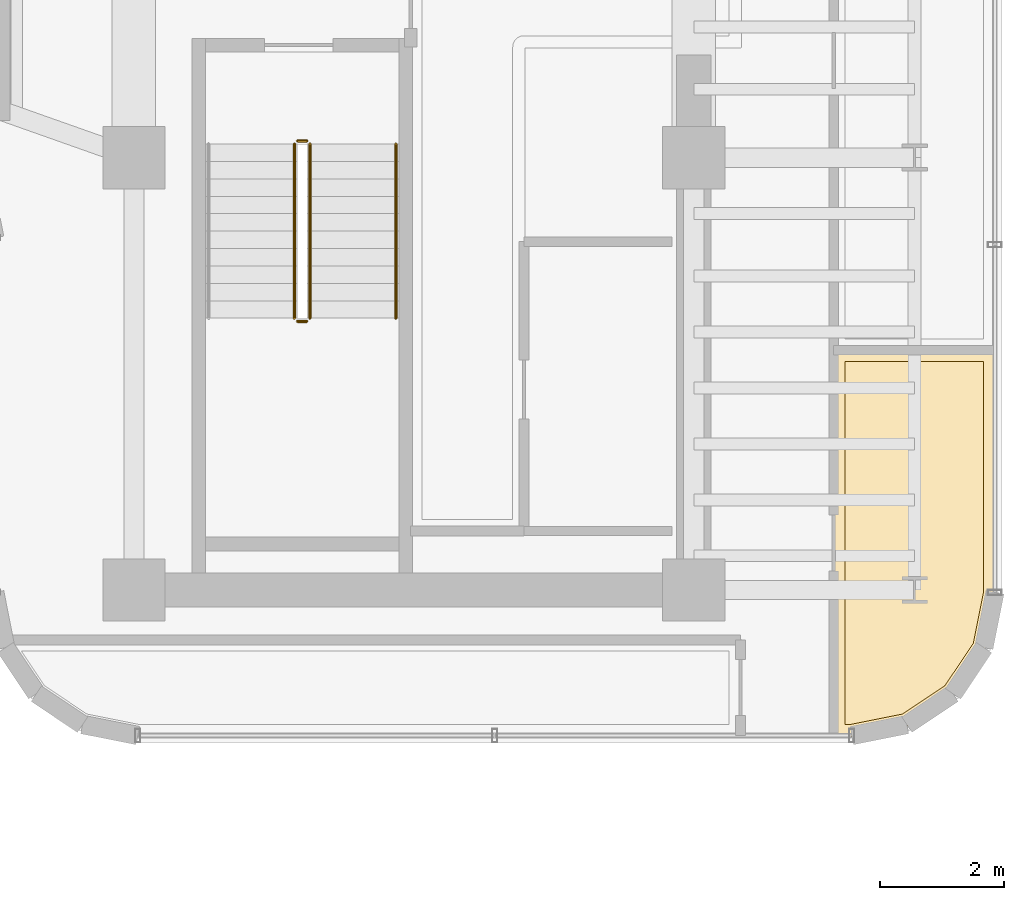
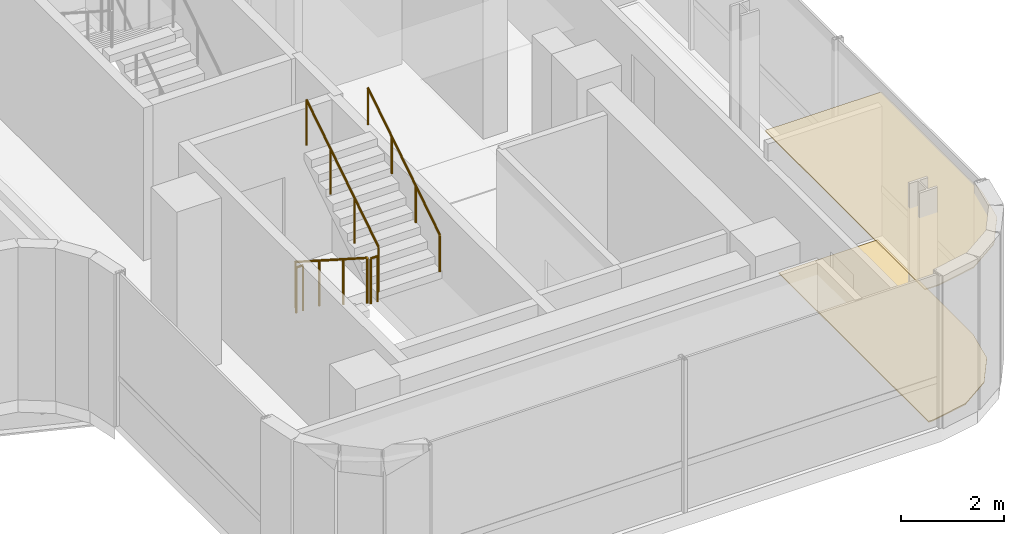
# One storey, part 34 of 37: 5 railings, 2 coverings.
"""IFC4 building model written with IfcOpenShell, lengths in metres."""

from ifc_helpers import new_model, si_unit, direction, frame, origin, origin_2d, place, context, subcontext, project, spatial, polyline, circle, outline, extrude, material, layer, layer_set, type_object, element, save


model = new_model("IFC4")

# Units and contexts
model_context = context("Model", 3, precision=1e-05, world=origin(), true_north=direction((0.0, 1.0)))
body_context = subcontext(model_context, "Body", "Model", "MODEL_VIEW")
ifc_project = project(units=[si_unit("LENGTHUNIT", "METRE"), si_unit("AREAUNIT", "SQUARE_METRE"), si_unit("VOLUMEUNIT", "CUBIC_METRE"), si_unit("PLANEANGLEUNIT", "RADIAN"), si_unit("MASSUNIT", "GRAM", prefix="KILO")], contexts=[model_context])

# Site, building, storey
site_placement = place(None, origin())
site = spatial("IfcSite", under=ifc_project, at=site_placement, CompositionType="ELEMENT")
building_placement = place(site_placement, origin())
building = spatial("IfcBuilding", under=site, at=building_placement, Name="Valdorenza Pilgrim Sanctuary Tower", CompositionType="ELEMENT")
storey_placement = place(building_placement, frame((0.0, 0.0, 188.39990234375)))
storey = spatial("IfcBuildingStorey", under=building, at=storey_placement, Name="L48", CompositionType="ELEMENT", Elevation=188.39990234375)

# Coverings
ifc_material_1 = material(Name="Micro-perforated acoustic mineral ceiling tile", Category="gypsum")
ifc_layer_1 = layer(ifc_material_1, 0.02490234375, Name="Micro-perforated acoustic mineral ceiling tile")
ifc_layer_set_1 = layer_set([ifc_layer_1], Name="Micro-perforated acoustic mineral ceiling tile")
covering_type_1 = type_object("IfcCoveringType", Name="COV-CLG-ACU", PredefinedType="CEILING", material=ifc_layer_set_1)
covering_1_placement = place(storey_placement, frame((0.0, 0.0, 3.330078125)))
element("IfcCovering", 1, at=covering_1_placement, inside=storey, type_object=covering_type_1, Name="L48 Private Banquet Dining Room L48-EB1 Acoustic Ceiling", PredefinedType="CEILING", context=body_context, shape_type="SweptSolid", body=[
    extrude(outline(polyline([(29.68994140625, -5.67822265625), (29.69140625, -5.678466796875), (29.69287109375, -5.6787109375), (29.6943359375, -5.678955078125), (29.69580078125, -5.679443359375), (29.697021484375, -5.68017578125), (29.6982421875, -5.680908203125), (29.699462890625, -5.681640625), (29.70068359375, -5.6826171875), (29.70166015625, -5.683837890625), (29.702392578125, -5.68505859375), (29.703125, -5.686279296875), (29.703857421875, -5.6875), (29.704345703125, -5.68896484375), (29.70458984375, -5.6904296875), (29.704833984375, -5.69189453125), (29.705078125, -5.693359375), (29.705078125, -9.589111328125), (29.704833984375, -9.590576171875), (29.70458984375, -9.592041015625), (29.5283203125, -10.478515625), (29.528076171875, -10.479736328125), (29.527587890625, -10.481201171875), (29.52685546875, -10.482666015625), (29.526123046875, -10.48388671875), (29.0302734375, -11.22607421875), (29.029296875, -11.227294921875), (29.0283203125, -11.228515625), (29.02734375, -11.2294921875), (29.026123046875, -11.230224609375), (28.28369140625, -11.726318359375), (28.28271484375, -11.726806640625), (28.28125, -11.7275390625), (28.27978515625, -11.72802734375), (28.2783203125, -11.728515625), (27.39208984375, -11.90478515625), (27.390625, -11.90478515625), (27.38916015625, -11.905029296875), (27.10009765625, -11.905029296875), (27.098388671875, -11.90478515625), (27.09716796875, -11.90478515625), (27.095703125, -11.904296875), (27.09423828125, -11.90380859375), (27.093017578125, -11.9033203125), (27.091796875, -11.902587890625), (27.090576171875, -11.901611328125), (27.08935546875, -11.900634765625), (27.08837890625, -11.8994140625), (27.08740234375, -11.898193359375), (27.0869140625, -11.897216796875), (27.086181640625, -11.895751953125), (27.085693359375, -11.894287109375), (27.085205078125, -11.892822265625), (27.085205078125, -11.8916015625), (27.0849609375, -11.889892578125), (27.0849609375, -5.693359375), (27.085205078125, -5.69189453125), (27.085205078125, -5.6904296875), (27.085693359375, -5.68896484375), (27.086181640625, -5.6875), (27.0869140625, -5.686279296875), (27.08740234375, -5.68505859375), (27.08837890625, -5.683837890625), (27.08935546875, -5.6826171875), (27.090576171875, -5.681640625), (27.091796875, -5.680908203125), (27.093017578125, -5.68017578125), (27.09423828125, -5.679443359375), (27.095703125, -5.678955078125), (27.09716796875, -5.6787109375), (27.098388671875, -5.678466796875), (27.10009765625, -5.67822265625), (29.68994140625, -5.67822265625)])), origin(), (0.0, 0.0, 1.0), 0.02490234375),
])
ifc_material_2 = material(Name="Engineered European oak timber flooring", Category="wood")
ifc_layer_2 = layer(ifc_material_2, 0.02197265625, Name="Engineered European oak timber flooring")
ifc_layer_set_2 = layer_set([ifc_layer_2], Name="Engineered European oak timber flooring")
covering_type_2 = type_object("IfcCoveringType", Name="COV-FLR-OAK", PredefinedType="FLOORING", material=ifc_layer_set_2)
covering_2_placement = place(storey_placement, origin())
element("IfcCovering", 2, at=covering_2_placement, inside=storey, type_object=covering_type_2, Name="L48 Private Banquet Dining Room L48-EB1 Flooring", PredefinedType="FLOORING", context=body_context, shape_type="SweptSolid", body=[
    extrude(outline(polyline([(29.510009765625, -5.873291015625), (29.510009765625, -9.5712890625), (29.343994140625, -10.4052734375), (28.887939453125, -11.087890625), (28.205322265625, -11.544189453125), (27.371337890625, -11.7099609375), (27.280029296875, -11.7099609375), (27.280029296875, -5.873291015625), (29.510009765625, -5.873291015625)])), origin(), (0.0, 0.0, 1.0), 0.025146484375),
])

# Railings
ifc_material_3 = material(Name="Stainless steel Grade 316", Category="steel")
railing_type_1 = type_object("IfcRailingType", Name="RLG-GRD-1120", PredefinedType="GUARDRAIL", material=ifc_material_3)
railing_1_placement = place(storey_placement, frame((18.429931640625, -2.3798828125, 0.1796875)))
element("IfcRailing", 3, at=railing_1_placement, inside=storey, type_object=railing_type_1, Name="L48 ST-B2 stair guard 1", PredefinedType="GUARDRAIL", context=body_context, shape_type="SweptSolid", body=[
    extrude(circle(Radius=0.02392578125, at=origin_2d()), frame((0.0, 0.0, 1.076171875), z_axis=(0.0, -0.841809871826, 0.539774156196), x_axis=(1.0, 0.0, 0.0)), (0.0, 0.0, 1.0), 3.326171875),
    extrude(circle(Radius=0.02099609375, at=origin_2d()), origin(), (0.0, 0.0, 1.0), 1.052001953125),
    extrude(circle(Radius=0.02099609375, at=origin_2d()), frame((0.0, -0.933349609375, 0.598388671875)), (0.0, 0.0, 1.0), 1.052001953125),
    extrude(circle(Radius=0.02099609375, at=origin_2d()), frame((0.0, -1.86669921875, 1.197021484375)), (0.0, 0.0, 1.0), 1.052001953125),
    extrude(circle(Radius=0.02099609375, at=origin_2d()), frame((0.0, -2.800048828125, 1.79541015625)), (0.0, 0.0, 1.0), 1.052001953125),
])
railing_2_placement = place(storey_placement, frame((18.47998046875, -5.22998046875, 1.97509765625)))
element("IfcRailing", 4, at=railing_2_placement, inside=storey, type_object=railing_type_1, Name="L48 ST-B2 stair guard 2", PredefinedType="GUARDRAIL", context=body_context, shape_type="SweptSolid", body=[
    extrude(circle(Radius=0.02392578125, at=origin_2d()), frame((0.0, 0.0, 1.076171875), z_axis=(1.0, 0.0, 0.0), x_axis=(0.0, 1.0, 0.0)), (0.0, 0.0, 1.0), 0.14990234375),
    extrude(circle(Radius=0.02099609375, at=origin_2d()), origin(), (0.0, 0.0, 1.0), 1.052001953125),
    extrude(circle(Radius=0.02099609375, at=origin_2d()), frame((0.14990234375, 0.0, 0.0)), (0.0, 0.0, 1.0), 1.052001953125),
])
railing_3_placement = place(storey_placement, frame((18.679931640625, -5.179931640625, 2.154541015625)))
element("IfcRailing", 5, at=railing_3_placement, inside=storey, type_object=railing_type_1, Name="L48 ST-B2 stair guard 3", PredefinedType="GUARDRAIL", context=body_context, shape_type="SweptSolid", body=[
    extrude(circle(Radius=0.02392578125, at=origin_2d()), frame((0.0, 0.0, 1.076171875), z_axis=(0.0, 0.841776520102, 0.539826166654), x_axis=(-1.0, 0.0, 0.0)), (0.0, 0.0, 1.0), 3.326416015625),
    extrude(circle(Radius=0.02099609375, at=origin_2d()), origin(), (0.0, 0.0, 1.0), 1.052001953125),
    extrude(circle(Radius=0.02099609375, at=origin_2d()), frame((0.0, 0.933349609375, 0.5986328125)), (0.0, 0.0, 1.0), 1.052001953125),
    extrude(circle(Radius=0.02099609375, at=origin_2d()), frame((0.0, 1.86669921875, 1.197021484375)), (0.0, 0.0, 1.0), 1.052001953125),
    extrude(circle(Radius=0.02099609375, at=origin_2d()), frame((0.0, 2.800048828125, 1.795654296875)), (0.0, 0.0, 1.0), 1.052001953125),
])
railing_4_placement = place(storey_placement, frame((18.47998046875, -2.330078125, 0.0)))
element("IfcRailing", 6, at=railing_4_placement, inside=storey, type_object=railing_type_1, Name="L48 ST-B2 stair guard 4", PredefinedType="GUARDRAIL", context=body_context, shape_type="SweptSolid", body=[
    extrude(circle(Radius=0.02392578125, at=origin_2d()), frame((0.0, 0.0, 1.076171875), z_axis=(1.0, 0.0, 0.0), x_axis=(0.0, 1.0, 0.0)), (0.0, 0.0, 1.0), 0.14990234375),
    extrude(circle(Radius=0.02099609375, at=origin_2d()), origin(), (0.0, 0.0, 1.0), 1.052001953125),
    extrude(circle(Radius=0.02099609375, at=origin_2d()), frame((0.14990234375, 0.0, 0.0)), (0.0, 0.0, 1.0), 1.052001953125),
])
ifc_material_4 = material(Name="Brushed stainless steel Grade 316", Category="steel")
railing_type_2 = type_object("IfcRailingType", Name="RLG-HND-920", PredefinedType="HANDRAIL", material=ifc_material_4)
railing_5_placement = place(storey_placement, frame((20.06005859375, -5.179931640625, 2.154541015625)))
element("IfcRailing", 7, at=railing_5_placement, inside=storey, type_object=railing_type_2, Name="L48 ST-B2 stair handrail 2", PredefinedType="HANDRAIL", context=body_context, shape_type="SweptSolid", body=[
    extrude(circle(Radius=0.02392578125, at=origin_2d()), frame((0.0, 0.0, 0.8759765625), z_axis=(0.0, 0.841776520102, 0.539826166654), x_axis=(-1.0, 0.0, 0.0)), (0.0, 0.0, 1.0), 3.326416015625),
    extrude(circle(Radius=0.02099609375, at=origin_2d()), origin(), (0.0, 0.0, 1.0), 0.851806640625),
    extrude(circle(Radius=0.02099609375, at=origin_2d()), frame((0.0, 0.933349609375, 0.5986328125)), (0.0, 0.0, 1.0), 0.851806640625),
    extrude(circle(Radius=0.02099609375, at=origin_2d()), frame((0.0, 1.86669921875, 1.197021484375)), (0.0, 0.0, 1.0), 0.851806640625),
    extrude(circle(Radius=0.02099609375, at=origin_2d()), frame((0.0, 2.800048828125, 1.795654296875)), (0.0, 0.0, 1.0), 0.851806640625),
])

save(model, "model.ifc")
